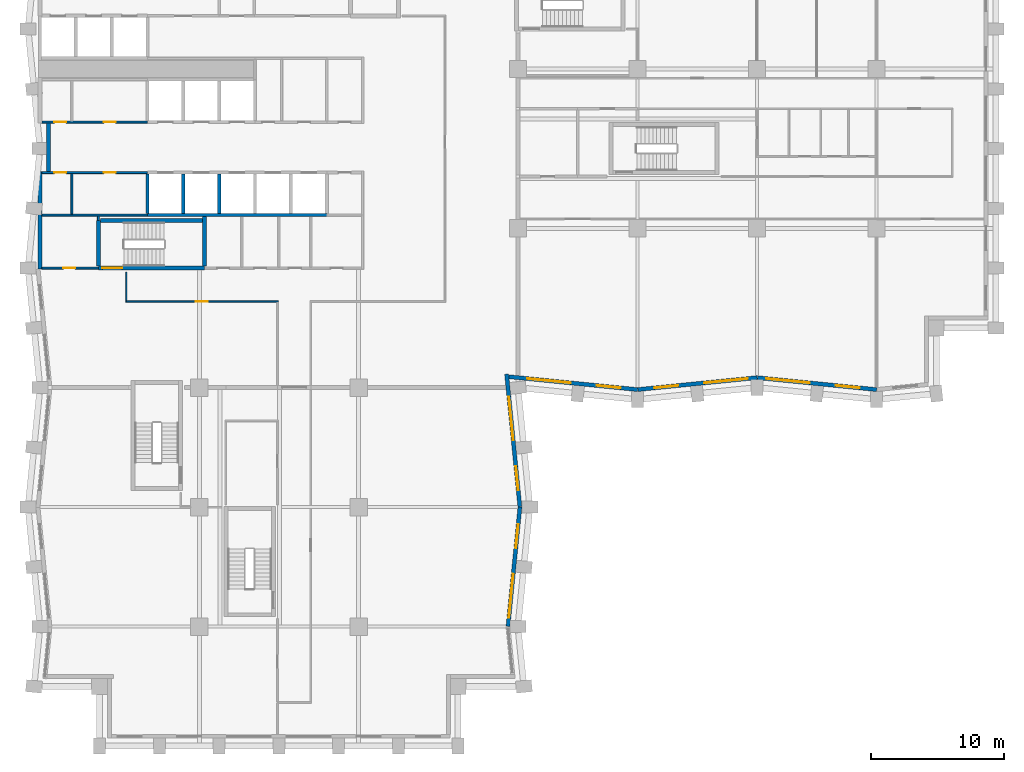
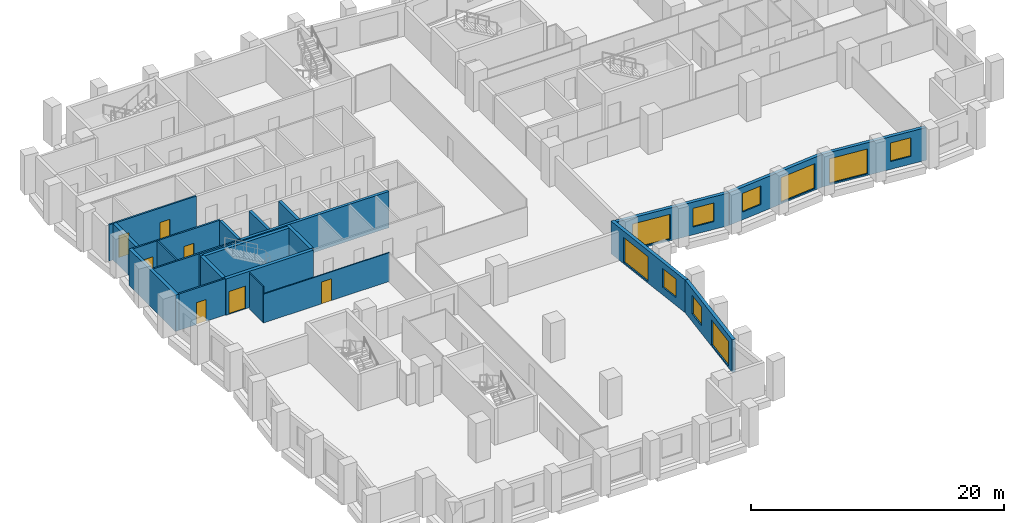
# One storey, part 4 of 11: 23 walls, 10 windows, 7 doors, 17 openings.
"""IFC4 building model written with IfcOpenShell, lengths in metres."""

from ifc_helpers import new_model, si_unit, direction, frame, frame_2d, origin, place, context, subcontext, project, spatial, rectangle, extrude, material, layer, layer_set, type_object, element, fill, save


model = new_model("IFC4")

# Units and contexts
model_context = context("Model", 3, precision=1e-05, world=origin(), true_north=direction((0.0, 1.0)))
body_context = subcontext(model_context, "Body", "Model", "MODEL_VIEW")
ifc_project = project(units=[si_unit("LENGTHUNIT", "METRE"), si_unit("AREAUNIT", "SQUARE_METRE"), si_unit("VOLUMEUNIT", "CUBIC_METRE"), si_unit("PLANEANGLEUNIT", "RADIAN"), si_unit("MASSUNIT", "GRAM", prefix="KILO")], contexts=[model_context])

# Site, building, storey
site_placement = place(None, origin())
site = spatial("IfcSite", under=ifc_project, at=site_placement, CompositionType="ELEMENT")
building_placement = place(site_placement, origin())
building = spatial("IfcBuilding", under=site, at=building_placement, Name="Brondeck Convention Tower", CompositionType="ELEMENT")
storey_placement = place(building_placement, frame((0.0, 0.0, 111.300048828125)))
storey = spatial("IfcBuildingStorey", under=building, at=storey_placement, Name="L26", CompositionType="ELEMENT", Elevation=111.300048828125)

# Walls
ifc_material_1 = material(Name="Concrete C70/85", Category="concrete")
ifc_layer_1 = layer(ifc_material_1, 0.300048828125)
ifc_layer_set_1 = layer_set([ifc_layer_1], Name="Core outer wall 300 Concrete C70/85")
wall_type_1 = type_object("IfcWallType", Name="Core outer wall 300 Concrete C70/85", PredefinedType="SHEAR", material=ifc_layer_set_1)
wall_1_placement = place(storey_placement, frame((0.0, 35.925048828125, 0.0), z_axis=(0.0, 0.0, 1.0), x_axis=(0.0, 1.0, 0.0)))
element("IfcWall", 1, at=wall_1_placement, inside=storey, type_object=wall_type_1, Name="L26 core wall", PredefinedType="SHEAR", context=body_context, shape_type="SweptSolid", body=[
    extrude(rectangle(XDim=7.349853515625, YDim=0.300048828125, at=frame_2d((3.6748046875, 0.0))), origin(), (0.0, 0.0, 1.0), 3.5),
])
wall_2_placement = place(storey_placement, frame((0.64990234375, 43.27490234375, 0.0), z_axis=(0.0, 0.0, 1.0), x_axis=(0.0, 1.0, 0.0)))
element("IfcWall", 2, at=wall_2_placement, inside=storey, type_object=wall_type_1, Name="L26 core wall", PredefinedType="SHEAR", context=body_context, shape_type="SweptSolid", body=[
    extrude(rectangle(XDim=3.650146484375, YDim=0.300048828125, at=frame_2d((1.8251953125, 0.0))), origin(), (0.0, 0.0, 1.0), 3.5),
])

# Wall, opening, door
ifc_material_2 = material(Name="Fire-rated gypsum board partition")
ifc_layer_2 = layer(ifc_material_2, 0.14990234375)
ifc_layer_set_2 = layer_set([ifc_layer_2], Name="Core partition 150 EI 60")
wall_type_2 = type_object("IfcWallType", Name="Core partition 150 EI 60", PredefinedType="PARTITIONING", material=ifc_layer_set_2)
wall_3_placement = place(storey_placement, frame((0.14990234375, 36.0, 0.0), z_axis=(0.0, 0.0, 1.0), x_axis=(1.0, 0.0, 0.0)))
wall_3 = element("IfcWall", 3, at=wall_3_placement, inside=storey, type_object=wall_type_2, Name="L26 core wall", PredefinedType="PARTITIONING", context=body_context, shape_type="SweptSolid", body=[
    extrude(rectangle(XDim=4.25, YDim=0.14990234375, at=frame_2d((2.125, 0.0))), origin(), (0.0, 0.0, 1.0), 3.5),
])
opening_1_placement = place(wall_3_placement, frame((1.60009765625, 0.0, 0.0)))
opening_1 = element("IfcOpeningElement", 4, at=opening_1_placement, cuts=wall_3, Name="Opening C16-07", PredefinedType="OPENING", context=body_context, shape_type="SweptSolid", body=[
    extrude(rectangle(XDim=0.89990234375, YDim=2.10009765625, at=frame_2d((0.449951171875, 1.050048828125))), frame((0.0, 0.0849609375, 0.0), z_axis=(0.0, -1.0, 0.0), x_axis=(1.0, 0.0, 0.0)), (0.0, 0.0, 1.0), 0.169921875),
])
ifc_material_3 = material(Name="Steel fire door", Category="steel")
door_type_1 = type_object("IfcDoorType", Name="Room door 900x2100 EI 60", OperationType="NOTDEFINED", PredefinedType="DOOR", material=ifc_material_3)
door_1_placement = place(opening_1_placement, origin())
door_1 = element("IfcDoor", 5, at=door_1_placement, inside=storey, type_object=door_type_1, Name="L26 Room door FRW-1", OperationType="SINGLE_SWING_LEFT", OverallHeight=2.10009765625, OverallWidth=0.89990234375, PredefinedType="DOOR", context=body_context, shape_type="SweptSolid", body=[
    extrude(rectangle(XDim=0.89990234375, YDim=2.10009765625, at=frame_2d((0.449951171875, 1.050048828125))), frame((0.0, 0.02490234375, 0.0), z_axis=(0.0, -1.0, 0.0), x_axis=(1.0, 0.0, 0.0)), (0.0, 0.0, 1.0), 0.050048828125),
])
fill(opening_1, door_1)

# Wall
wall_4_placement = place(storey_placement, frame((0.14990234375, 40.0, 0.0), z_axis=(0.0, 0.0, 1.0), x_axis=(1.0, 0.0, 0.0)))
element("IfcWall", 6, at=wall_4_placement, inside=storey, type_object=wall_type_2, Name="L26 core wall", PredefinedType="PARTITIONING", context=body_context, shape_type="SweptSolid", body=[
    extrude(rectangle(XDim=7.9501953125, YDim=0.14990234375, at=frame_2d((3.97509765625, 0.0))), origin(), (0.0, 0.0, 1.0), 3.5),
])

# Wall, openings, doors
wall_5_placement = place(storey_placement, frame((0.14990234375, 43.199951171875, 0.0), z_axis=(0.0, 0.0, 1.0), x_axis=(1.0, 0.0, 0.0)))
wall_5 = element("IfcWall", 7, at=wall_5_placement, inside=storey, type_object=wall_type_2, Name="L26 core wall", PredefinedType="PARTITIONING", context=body_context, shape_type="SweptSolid", body=[
    extrude(rectangle(XDim=7.9501953125, YDim=0.14990234375, at=frame_2d((3.97509765625, 0.0))), origin(), (0.0, 0.0, 1.0), 3.5),
])
opening_2_placement = place(wall_5_placement, frame((0.925048828125, 0.0, 0.0)))
opening_2 = element("IfcOpeningElement", 8, at=opening_2_placement, cuts=wall_5, Name="Opening C16-12", PredefinedType="OPENING", context=body_context, shape_type="SweptSolid", body=[
    extrude(rectangle(XDim=0.89990234375, YDim=2.10009765625, at=frame_2d((0.449951171875, 1.050048828125))), frame((0.0, 0.0849609375, 0.0), z_axis=(0.0, -1.0, 0.0), x_axis=(1.0, 0.0, 0.0)), (0.0, 0.0, 1.0), 0.169921875),
])
opening_3_placement = place(wall_5_placement, frame((4.64990234375, 0.0, 0.0)))
opening_3 = element("IfcOpeningElement", 9, at=opening_3_placement, cuts=wall_5, Name="Opening C16-13", PredefinedType="OPENING", context=body_context, shape_type="SweptSolid", body=[
    extrude(rectangle(XDim=0.89990234375, YDim=2.10009765625, at=frame_2d((0.449951171875, 1.050048828125))), frame((0.0, 0.0849609375, 0.0), z_axis=(0.0, -1.0, 0.0), x_axis=(1.0, 0.0, 0.0)), (0.0, 0.0, 1.0), 0.169921875),
])
door_2_placement = place(opening_2_placement, origin())
door_2 = element("IfcDoor", 10, at=door_2_placement, inside=storey, type_object=door_type_1, Name="L26 Room door FZ-S-0-1", OperationType="SINGLE_SWING_LEFT", OverallHeight=2.10009765625, OverallWidth=0.89990234375, PredefinedType="DOOR", context=body_context, shape_type="SweptSolid", body=[
    extrude(rectangle(XDim=0.89990234375, YDim=2.10009765625, at=frame_2d((0.449951171875, 1.050048828125))), frame((0.0, 0.02490234375, 0.0), z_axis=(0.0, -1.0, 0.0), x_axis=(1.0, 0.0, 0.0)), (0.0, 0.0, 1.0), 0.050048828125),
])
fill(opening_2, door_2)
door_3_placement = place(opening_3_placement, origin())
door_3 = element("IfcDoor", 11, at=door_3_placement, inside=storey, type_object=door_type_1, Name="L26 Room door FZ-S-0-2", OperationType="SINGLE_SWING_RIGHT", OverallHeight=2.10009765625, OverallWidth=0.89990234375, PredefinedType="DOOR", context=body_context, shape_type="SweptSolid", body=[
    extrude(rectangle(XDim=0.89990234375, YDim=2.10009765625, at=frame_2d((0.449951171875, 1.050048828125))), frame((0.0, 0.02490234375, 0.0), z_axis=(0.0, -1.0, 0.0), x_axis=(1.0, 0.0, 0.0)), (0.0, 0.0, 1.0), 0.050048828125),
])
fill(opening_3, door_3)

wall_6_placement = place(storey_placement, frame((0.14990234375, 47.0, 0.0), z_axis=(0.0, 0.0, 1.0), x_axis=(1.0, 0.0, 0.0)))
wall_6 = element("IfcWall", 12, at=wall_6_placement, inside=storey, type_object=wall_type_2, Name="L26 core wall", PredefinedType="PARTITIONING", context=body_context, shape_type="SweptSolid", body=[
    extrude(rectangle(XDim=7.9501953125, YDim=0.14990234375, at=frame_2d((3.97509765625, 0.0))), origin(), (0.0, 0.0, 1.0), 3.5),
])
opening_4_placement = place(wall_6_placement, frame((0.925048828125, 0.0, 0.0)))
opening_4 = element("IfcOpeningElement", 13, at=opening_4_placement, cuts=wall_6, Name="Opening C16-08", PredefinedType="OPENING", context=body_context, shape_type="SweptSolid", body=[
    extrude(rectangle(XDim=0.89990234375, YDim=2.10009765625, at=frame_2d((0.449951171875, 1.050048828125))), frame((0.0, 0.0849609375, 0.0), z_axis=(0.0, -1.0, 0.0), x_axis=(1.0, 0.0, 0.0)), (0.0, 0.0, 1.0), 0.169921875),
])
opening_5_placement = place(wall_6_placement, frame((4.64990234375, 0.0, 0.0)))
opening_5 = element("IfcOpeningElement", 14, at=opening_5_placement, cuts=wall_6, Name="Opening C16-09", PredefinedType="OPENING", context=body_context, shape_type="SweptSolid", body=[
    extrude(rectangle(XDim=0.89990234375, YDim=2.10009765625, at=frame_2d((0.449951171875, 1.050048828125))), frame((0.0, 0.0849609375, 0.0), z_axis=(0.0, -1.0, 0.0), x_axis=(1.0, 0.0, 0.0)), (0.0, 0.0, 1.0), 0.169921875),
])
door_4_placement = place(opening_4_placement, origin())
door_4 = element("IfcDoor", 15, at=door_4_placement, inside=storey, type_object=door_type_1, Name="L26 Room door FZ-N-0-1", OperationType="SINGLE_SWING_RIGHT", OverallHeight=2.10009765625, OverallWidth=0.89990234375, PredefinedType="DOOR", context=body_context, shape_type="SweptSolid", body=[
    extrude(rectangle(XDim=0.89990234375, YDim=2.10009765625, at=frame_2d((0.449951171875, 1.050048828125))), frame((0.0, 0.02490234375, 0.0), z_axis=(0.0, -1.0, 0.0), x_axis=(1.0, 0.0, 0.0)), (0.0, 0.0, 1.0), 0.050048828125),
])
fill(opening_4, door_4)
door_5_placement = place(opening_5_placement, origin())
door_5 = element("IfcDoor", 16, at=door_5_placement, inside=storey, type_object=door_type_1, Name="L26 Room door FZ-N-0-2", OperationType="SINGLE_SWING_LEFT", OverallHeight=2.10009765625, OverallWidth=0.89990234375, PredefinedType="DOOR", context=body_context, shape_type="SweptSolid", body=[
    extrude(rectangle(XDim=0.89990234375, YDim=2.10009765625, at=frame_2d((0.449951171875, 1.050048828125))), frame((0.0, 0.02490234375, 0.0), z_axis=(0.0, -1.0, 0.0), x_axis=(1.0, 0.0, 0.0)), (0.0, 0.0, 1.0), 0.050048828125),
])
fill(opening_5, door_5)

# Walls
wall_7_placement = place(storey_placement, frame((2.39990234375, 40.074951171875, 0.0), z_axis=(0.0, 0.0, 1.0), x_axis=(0.0, 1.0, 0.0)))
element("IfcWall", 17, at=wall_7_placement, inside=storey, type_object=wall_type_2, Name="L26 core wall", PredefinedType="PARTITIONING", context=body_context, shape_type="SweptSolid", body=[
    extrude(rectangle(XDim=3.050048828125, YDim=0.14990234375, at=frame_2d((1.52490234375, 0.0))), origin(), (0.0, 0.0, 1.0), 3.5),
])
wall_8_placement = place(storey_placement, frame((4.39990234375, 39.60009765625, 0.0), z_axis=(0.0, 0.0, 1.0), x_axis=(0.0, 1.0, 0.0)))
element("IfcWall", 18, at=wall_8_placement, inside=storey, type_object=wall_type_2, Name="L26 core wall", PredefinedType="PARTITIONING", context=body_context, shape_type="SweptSolid", body=[
    extrude(rectangle(XDim=0.324951171875, YDim=0.14990234375, at=frame_2d((0.16259765625, 0.0))), origin(), (0.0, 0.0, 1.0), 3.5),
])

# Wall, openings, windows
ifc_material_4 = material(Name="Precast concrete C50/60 bronze finish", Category="concrete")
ifc_layer_3 = layer(ifc_material_4, 0.070068359375, Name="Bronze precast facing")
ifc_material_5 = material(Name="Mineral wool")
ifc_layer_4 = layer(ifc_material_5, 0.159912109375, Name="Insulation")
ifc_material_6 = material(Name="Concrete C35/45", Category="concrete")
ifc_layer_5 = layer(ifc_material_6, 0.070068359375, Name="Backing")
ifc_layer_set_3 = layer_set([ifc_layer_3, ifc_layer_4, ifc_layer_5], Name="External infill wall, precast concrete C50/60 bronze facing")
wall_type_3 = type_object("IfcWallType", Name="External infill wall, precast concrete C50/60 bronze facing", PredefinedType="SOLIDWALL", material=ifc_layer_set_3)
wall_9_placement = place(storey_placement, frame((36.147705078125, 18.014892578125, 0.0), z_axis=(0.0, 0.0, 1.0), x_axis=(-0.099495688264, -0.995037993253, 0.0)))
wall_9 = element("IfcWall", 19, at=wall_9_placement, inside=storey, type_object=wall_type_3, Name="ENV-EW-L26-P0-B-E-03", PredefinedType="SOLIDWALL", context=body_context, shape_type="SweptSolid", body=[
    extrude(rectangle(XDim=9.030029296875, YDim=0.300048828125, at=frame_2d((4.51513671875, 0.0))), origin(), (0.0, 0.0, 1.0), 3.14990234375),
])
opening_6_placement = place(wall_9_placement, frame((1.30126953125, 0.0, 0.75)))
opening_6 = element("IfcOpeningElement", 20, at=opening_6_placement, cuts=wall_9, Name="Opening W10", PredefinedType="OPENING", context=body_context, shape_type="SweptSolid", body=[
    extrude(rectangle(XDim=1.800048828125, YDim=1.800048828125, at=frame_2d((0.89990234375, 0.89990234375))), frame((0.0, 0.159912109375, 0.0), z_axis=(0.0, -1.0, 0.0), x_axis=(1.0, 0.0, 0.0)), (0.0, 0.0, 1.0), 0.320068359375),
])
opening_7_placement = place(wall_9_placement, frame((5.073486328125, 0.0, 0.14990234375)))
opening_7 = element("IfcOpeningElement", 21, at=opening_7_placement, cuts=wall_9, Name="Opening W9", PredefinedType="OPENING", context=body_context, shape_type="SweptSolid", body=[
    extrude(rectangle(XDim=3.300048828125, YDim=2.39990234375, at=frame_2d((1.64990234375, 1.199951171875))), frame((0.0, 0.159912109375, 0.0), z_axis=(0.0, -1.0, 0.0), x_axis=(1.0, 0.0, 0.0)), (0.0, 0.0, 1.0), 0.320068359375),
])
ifc_material_7 = material(Name="Bronze tinted double glazing", Category="glass")
window_type_1 = type_object("IfcWindowType", Name="Glazed flute window, bronze tinted", PartitioningType="SINGLE_PANEL", PredefinedType="WINDOW", material=ifc_material_7)
window_1_placement = place(opening_7_placement, origin())
window_1 = element("IfcWindow", 22, at=window_1_placement, inside=storey, type_object=window_type_1, Name="ENV-WN-L26-P0-B-E-03", OverallHeight=2.39990234375, OverallWidth=3.300048828125, PartitioningType="SINGLE_PANEL", PredefinedType="WINDOW", context=body_context, shape_type="SweptSolid", body=[
    extrude(rectangle(XDim=3.300048828125, YDim=2.39990234375, at=frame_2d((1.64990234375, 1.199951171875))), frame((0.0, 0.030029296875, 0.0), z_axis=(0.0, -1.0, 0.0), x_axis=(1.0, 0.0, 0.0)), (0.0, 0.0, 1.0), 0.06005859375),
])
fill(opening_7, window_1)
window_type_2 = type_object("IfcWindowType", Name="Punched window, bronze tinted", PartitioningType="SINGLE_PANEL", PredefinedType="WINDOW", material=ifc_material_7)
window_2_placement = place(opening_6_placement, origin())
window_2 = element("IfcWindow", 23, at=window_2_placement, inside=storey, type_object=window_type_2, Name="ENV-WN-L26-P0-B-E-02", OverallHeight=1.800048828125, OverallWidth=1.800048828125, PartitioningType="SINGLE_PANEL", PredefinedType="WINDOW", context=body_context, shape_type="SweptSolid", body=[
    extrude(rectangle(XDim=1.800048828125, YDim=1.800048828125, at=frame_2d((0.89990234375, 0.89990234375))), frame((0.0, 0.030029296875, 0.0), z_axis=(0.0, -1.0, 0.0), x_axis=(1.0, 0.0, 0.0)), (0.0, 0.0, 1.0), 0.06005859375),
])
fill(opening_6, window_2)

wall_10_placement = place(storey_placement, frame((35.144287109375, 28.02001953125, 0.0), z_axis=(0.0, 0.0, 1.0), x_axis=(0.099503719021, -0.99503719021, 0.0)))
wall_10 = element("IfcWall", 24, at=wall_10_placement, inside=storey, type_object=wall_type_3, Name="ENV-EW-L26-P0-B-E-01", PredefinedType="SOLIDWALL", context=body_context, shape_type="SweptSolid", body=[
    extrude(rectangle(XDim=10.0400390625, YDim=0.300048828125, at=frame_2d((5.02001953125, 0.0))), origin(), (0.0, 0.0, 1.0), 3.14990234375),
])
opening_8_placement = place(wall_10_placement, frame((1.711181640625, 0.0, 0.14990234375)))
opening_8 = element("IfcOpeningElement", 25, at=opening_8_placement, cuts=wall_10, Name="Opening W9", PredefinedType="OPENING", context=body_context, shape_type="SweptSolid", body=[
    extrude(rectangle(XDim=3.300048828125, YDim=2.39990234375, at=frame_2d((1.64990234375, 1.199951171875))), frame((0.0, 0.159912109375, 0.0), z_axis=(0.0, -1.0, 0.0), x_axis=(1.0, 0.0, 0.0)), (0.0, 0.0, 1.0), 0.320068359375),
])
opening_9_placement = place(wall_10_placement, frame((6.983642578125, 0.0, 0.75)))
opening_9 = element("IfcOpeningElement", 26, at=opening_9_placement, cuts=wall_10, Name="Opening W10", PredefinedType="OPENING", context=body_context, shape_type="SweptSolid", body=[
    extrude(rectangle(XDim=1.800048828125, YDim=1.800048828125, at=frame_2d((0.89990234375, 0.89990234375))), frame((0.0, 0.159912109375, 0.0), z_axis=(0.0, -1.0, 0.0), x_axis=(1.0, 0.0, 0.0)), (0.0, 0.0, 1.0), 0.320068359375),
])
window_3_placement = place(opening_8_placement, origin())
window_3 = element("IfcWindow", 27, at=window_3_placement, inside=storey, type_object=window_type_1, Name="ENV-WN-L26-P0-B-E-00", OverallHeight=2.39990234375, OverallWidth=3.300048828125, PartitioningType="SINGLE_PANEL", PredefinedType="WINDOW", context=body_context, shape_type="SweptSolid", body=[
    extrude(rectangle(XDim=3.300048828125, YDim=2.39990234375, at=frame_2d((1.64990234375, 1.199951171875))), frame((0.0, 0.030029296875, 0.0), z_axis=(0.0, -1.0, 0.0), x_axis=(1.0, 0.0, 0.0)), (0.0, 0.0, 1.0), 0.06005859375),
])
fill(opening_8, window_3)
window_4_placement = place(opening_9_placement, origin())
window_4 = element("IfcWindow", 28, at=window_4_placement, inside=storey, type_object=window_type_2, Name="ENV-WN-L26-P0-B-E-01", OverallHeight=1.800048828125, OverallWidth=1.800048828125, PartitioningType="SINGLE_PANEL", PredefinedType="WINDOW", context=body_context, shape_type="SweptSolid", body=[
    extrude(rectangle(XDim=1.800048828125, YDim=1.800048828125, at=frame_2d((0.89990234375, 0.89990234375))), frame((0.0, 0.030029296875, 0.0), z_axis=(0.0, -1.0, 0.0), x_axis=(1.0, 0.0, 0.0)), (0.0, 0.0, 1.0), 0.06005859375),
])
fill(opening_9, window_4)

wall_11_placement = place(storey_placement, frame((45.014892578125, 26.852294921875, 0.0), z_axis=(0.0, 0.0, 1.0), x_axis=(-0.995037438546, 0.099501235631, 0.0)))
wall_11 = element("IfcWall", 29, at=wall_11_placement, inside=storey, type_object=wall_type_3, Name="ENV-EW-L26-P0-A-S-00", PredefinedType="SOLIDWALL", context=body_context, shape_type="SweptSolid", body=[
    extrude(rectangle(XDim=9.733642578125, YDim=0.300048828125, at=frame_2d((4.86669921875, 0.0))), origin(), (0.0, 0.0, 1.0), 3.14990234375),
])
opening_10_placement = place(wall_11_placement, frame((1.30126953125, 0.0, 0.75)))
opening_10 = element("IfcOpeningElement", 30, at=opening_10_placement, cuts=wall_11, Name="Opening W10", PredefinedType="OPENING", context=body_context, shape_type="SweptSolid", body=[
    extrude(rectangle(XDim=1.800048828125, YDim=1.800048828125, at=frame_2d((0.89990234375, 0.89990234375))), frame((0.0, 0.159912109375, 0.0), z_axis=(0.0, -1.0, 0.0), x_axis=(1.0, 0.0, 0.0)), (0.0, 0.0, 1.0), 0.320068359375),
])
opening_11_placement = place(wall_11_placement, frame((5.073486328125, 0.0, 0.14990234375)))
opening_11 = element("IfcOpeningElement", 31, at=opening_11_placement, cuts=wall_11, Name="Opening W9", PredefinedType="OPENING", context=body_context, shape_type="SweptSolid", body=[
    extrude(rectangle(XDim=3.300048828125, YDim=2.39990234375, at=frame_2d((1.64990234375, 1.199951171875))), frame((0.0, 0.159912109375, 0.0), z_axis=(0.0, -1.0, 0.0), x_axis=(1.0, 0.0, 0.0)), (0.0, 0.0, 1.0), 0.320068359375),
])
window_5_placement = place(opening_11_placement, origin())
window_5 = element("IfcWindow", 32, at=window_5_placement, inside=storey, type_object=window_type_1, Name="ENV-WN-L26-P0-A-S-00", OverallHeight=2.39990234375, OverallWidth=3.300048828125, PartitioningType="SINGLE_PANEL", PredefinedType="WINDOW", context=body_context, shape_type="SweptSolid", body=[
    extrude(rectangle(XDim=3.300048828125, YDim=2.39990234375, at=frame_2d((1.64990234375, 1.199951171875))), frame((0.0, 0.030029296875, 0.0), z_axis=(0.0, -1.0, 0.0), x_axis=(1.0, 0.0, 0.0)), (0.0, 0.0, 1.0), 0.06005859375),
])
fill(opening_11, window_5)
window_6_placement = place(opening_10_placement, origin())
window_6 = element("IfcWindow", 33, at=window_6_placement, inside=storey, type_object=window_type_2, Name="ENV-WN-L26-P0-A-S-01", OverallHeight=1.800048828125, OverallWidth=1.800048828125, PartitioningType="SINGLE_PANEL", PredefinedType="WINDOW", context=body_context, shape_type="SweptSolid", body=[
    extrude(rectangle(XDim=1.800048828125, YDim=1.800048828125, at=frame_2d((0.89990234375, 0.89990234375))), frame((0.0, 0.030029296875, 0.0), z_axis=(0.0, -1.0, 0.0), x_axis=(1.0, 0.0, 0.0)), (0.0, 0.0, 1.0), 0.06005859375),
])
fill(opening_10, window_6)

wall_12_placement = place(storey_placement, frame((54.014892578125, 27.755126953125, 0.0), z_axis=(0.0, 0.0, 1.0), x_axis=(-0.995037993253, -0.099495688264, 0.0)))
wall_12 = element("IfcWall", 34, at=wall_12_placement, inside=storey, type_object=wall_type_3, Name="ENV-EW-L26-P0-A-S-02", PredefinedType="SOLIDWALL", context=body_context, shape_type="SweptSolid", body=[
    extrude(rectangle(XDim=9.030029296875, YDim=0.300048828125, at=frame_2d((4.51513671875, 0.0))), origin(), (0.0, 0.0, 1.0), 3.14990234375),
])
opening_12_placement = place(wall_12_placement, frame((0.701171875, 0.0, 0.14990234375)))
opening_12 = element("IfcOpeningElement", 35, at=opening_12_placement, cuts=wall_12, Name="Opening W9", PredefinedType="OPENING", context=body_context, shape_type="SweptSolid", body=[
    extrude(rectangle(XDim=3.300048828125, YDim=2.39990234375, at=frame_2d((1.64990234375, 1.199951171875))), frame((0.0, 0.159912109375, 0.0), z_axis=(0.0, -1.0, 0.0), x_axis=(1.0, 0.0, 0.0)), (0.0, 0.0, 1.0), 0.320068359375),
])
opening_13_placement = place(wall_12_placement, frame((5.9736328125, 0.0, 0.75)))
opening_13 = element("IfcOpeningElement", 36, at=opening_13_placement, cuts=wall_12, Name="Opening W10", PredefinedType="OPENING", context=body_context, shape_type="SweptSolid", body=[
    extrude(rectangle(XDim=1.800048828125, YDim=1.800048828125, at=frame_2d((0.89990234375, 0.89990234375))), frame((0.0, 0.159912109375, 0.0), z_axis=(0.0, -1.0, 0.0), x_axis=(1.0, 0.0, 0.0)), (0.0, 0.0, 1.0), 0.320068359375),
])
window_7_placement = place(opening_12_placement, origin())
window_7 = element("IfcWindow", 37, at=window_7_placement, inside=storey, type_object=window_type_1, Name="ENV-WN-L26-P0-A-S-03", OverallHeight=2.39990234375, OverallWidth=3.300048828125, PartitioningType="SINGLE_PANEL", PredefinedType="WINDOW", context=body_context, shape_type="SweptSolid", body=[
    extrude(rectangle(XDim=3.300048828125, YDim=2.39990234375, at=frame_2d((1.64990234375, 1.199951171875))), frame((0.0, 0.030029296875, 0.0), z_axis=(0.0, -1.0, 0.0), x_axis=(1.0, 0.0, 0.0)), (0.0, 0.0, 1.0), 0.06005859375),
])
fill(opening_12, window_7)
window_8_placement = place(opening_13_placement, origin())
window_8 = element("IfcWindow", 38, at=window_8_placement, inside=storey, type_object=window_type_2, Name="ENV-WN-L26-P0-A-S-02", OverallHeight=1.800048828125, OverallWidth=1.800048828125, PartitioningType="SINGLE_PANEL", PredefinedType="WINDOW", context=body_context, shape_type="SweptSolid", body=[
    extrude(rectangle(XDim=1.800048828125, YDim=1.800048828125, at=frame_2d((0.89990234375, 0.89990234375))), frame((0.0, 0.030029296875, 0.0), z_axis=(0.0, -1.0, 0.0), x_axis=(1.0, 0.0, 0.0)), (0.0, 0.0, 1.0), 0.06005859375),
])
fill(opening_13, window_8)

wall_13_placement = place(storey_placement, frame((63.014892578125, 26.852294921875, 0.0), z_axis=(0.0, 0.0, 1.0), x_axis=(-0.995037993253, 0.099495688264, 0.0)))
wall_13 = element("IfcWall", 39, at=wall_13_placement, inside=storey, type_object=wall_type_3, Name="ENV-EW-L26-P0-A-S-04", PredefinedType="SOLIDWALL", context=body_context, shape_type="SweptSolid", body=[
    extrude(rectangle(XDim=9.030029296875, YDim=0.300048828125, at=frame_2d((4.51513671875, 0.0))), origin(), (0.0, 0.0, 1.0), 3.14990234375),
])
opening_14_placement = place(wall_13_placement, frame((1.30126953125, 0.0, 0.75)))
opening_14 = element("IfcOpeningElement", 40, at=opening_14_placement, cuts=wall_13, Name="Opening W10", PredefinedType="OPENING", context=body_context, shape_type="SweptSolid", body=[
    extrude(rectangle(XDim=1.800048828125, YDim=1.800048828125, at=frame_2d((0.89990234375, 0.89990234375))), frame((0.0, 0.159912109375, 0.0), z_axis=(0.0, -1.0, 0.0), x_axis=(1.0, 0.0, 0.0)), (0.0, 0.0, 1.0), 0.320068359375),
])
opening_15_placement = place(wall_13_placement, frame((5.073486328125, 0.0, 0.14990234375)))
opening_15 = element("IfcOpeningElement", 41, at=opening_15_placement, cuts=wall_13, Name="Opening W9", PredefinedType="OPENING", context=body_context, shape_type="SweptSolid", body=[
    extrude(rectangle(XDim=3.300048828125, YDim=2.39990234375, at=frame_2d((1.64990234375, 1.199951171875))), frame((0.0, 0.159912109375, 0.0), z_axis=(0.0, -1.0, 0.0), x_axis=(1.0, 0.0, 0.0)), (0.0, 0.0, 1.0), 0.320068359375),
])
window_9_placement = place(opening_15_placement, origin())
window_9 = element("IfcWindow", 42, at=window_9_placement, inside=storey, type_object=window_type_1, Name="ENV-WN-L26-P0-A-S-04", OverallHeight=2.39990234375, OverallWidth=3.300048828125, PartitioningType="SINGLE_PANEL", PredefinedType="WINDOW", context=body_context, shape_type="SweptSolid", body=[
    extrude(rectangle(XDim=3.300048828125, YDim=2.39990234375, at=frame_2d((1.64990234375, 1.199951171875))), frame((0.0, 0.030029296875, 0.0), z_axis=(0.0, -1.0, 0.0), x_axis=(1.0, 0.0, 0.0)), (0.0, 0.0, 1.0), 0.06005859375),
])
fill(opening_15, window_9)
window_10_placement = place(opening_14_placement, origin())
window_10 = element("IfcWindow", 43, at=window_10_placement, inside=storey, type_object=window_type_2, Name="ENV-WN-L26-P0-A-S-05", OverallHeight=1.800048828125, OverallWidth=1.800048828125, PartitioningType="SINGLE_PANEL", PredefinedType="WINDOW", context=body_context, shape_type="SweptSolid", body=[
    extrude(rectangle(XDim=1.800048828125, YDim=1.800048828125, at=frame_2d((0.89990234375, 0.89990234375))), frame((0.0, 0.030029296875, 0.0), z_axis=(0.0, -1.0, 0.0), x_axis=(1.0, 0.0, 0.0)), (0.0, 0.0, 1.0), 0.06005859375),
])
fill(opening_14, window_10)

# Walls
ifc_layer_6 = layer(ifc_material_1, 0.25)
ifc_layer_set_4 = layer_set([ifc_layer_6], Name="Lift shaft wall 250 Concrete C70/85")
wall_type_4 = type_object("IfcWallType", Name="Lift shaft wall 250 Concrete C70/85", PredefinedType="SHEAR", material=ifc_layer_set_4)
wall_14_placement = place(storey_placement, frame((8.10009765625, 40.0, 0.0), z_axis=(0.0, 0.0, 1.0), x_axis=(1.0, 0.0, 0.0)))
element("IfcWall", 44, at=wall_14_placement, inside=storey, type_object=wall_type_4, Name="L26 core wall", PredefinedType="SHEAR", context=body_context, shape_type="SweptSolid", body=[
    extrude(rectangle(XDim=13.5, YDim=0.25, at=frame_2d((6.75, 0.0))), origin(), (0.0, 0.0, 1.0), 3.5),
])
for number, where, z_axis, x_axis, name in (
    (45, (8.10009765625, 40.125, 0.0), (0.0, 0.0, 1.0), (0.0, 1.0, 0.0), "L26 core wall"),
    (46, (10.800048828125, 40.125, 0.0), (0.0, 0.0, 1.0), (0.0, 1.0, 0.0), "L26 core wall"),
    (47, (13.5, 40.125, 0.0), (0.0, 0.0, 1.0), (0.0, 1.0, 0.0), "L26 core wall"),
):
    element("IfcWall", number, at=place(storey_placement, frame(where, z_axis=z_axis, x_axis=x_axis)), inside=storey, type_object=wall_type_4, Name=name, PredefinedType="SHEAR", context=body_context, shape_type="SweptSolid", body=[
        extrude(rectangle(XDim=2.949951171875, YDim=0.25, at=frame_2d((1.47509765625, 0.0))), origin(), (0.0, 0.0, 1.0), 3.5),
    ])

# Wall, opening, door
ifc_material_8 = material(Name="Gypsum board partition on steel studs", Category="steel")
ifc_layer_7 = layer(ifc_material_8, 0.10009765625)
ifc_layer_set_5 = layer_set([ifc_layer_7], Name="Room partition 100")
wall_type_5 = type_object("IfcWallType", Name="Room partition 100", PredefinedType="PARTITIONING", material=ifc_layer_set_5)
wall_15_placement = place(storey_placement, frame((17.949951171875, 33.5, 0.0), z_axis=(0.0, 0.0, 1.0), x_axis=(-1.0, 0.0, 0.0)))
wall_15 = element("IfcWall", 48, at=wall_15_placement, inside=storey, type_object=wall_type_5, Name="FLR-L26-W021", PredefinedType="PARTITIONING", context=body_context, shape_type="SweptSolid", body=[
    extrude(rectangle(XDim=11.5, YDim=0.10009765625, at=frame_2d((5.75, 0.0))), origin(), (0.0, 0.0, 1.0), 2.780029296875),
])
opening_16_placement = place(wall_15_placement, frame((5.300048828125, 0.0, 0.0)))
opening_16 = element("IfcOpeningElement", 49, at=opening_16_placement, cuts=wall_15, Name="Opening OF-C-018", PredefinedType="OPENING", context=body_context, shape_type="SweptSolid", body=[
    extrude(rectangle(XDim=0.89990234375, YDim=2.10009765625, at=frame_2d((0.449951171875, 1.050048828125))), frame((0.0, 0.06005859375, 0.0), z_axis=(0.0, -1.0, 0.0), x_axis=(1.0, 0.0, 0.0)), (0.0, 0.0, 1.0), 0.1201171875),
])
ifc_material_9 = material(Name="Solid timber door leaf", Category="wood")
door_type_2 = type_object("IfcDoorType", Name="Single door 900", OperationType="NOTDEFINED", PredefinedType="DOOR", material=ifc_material_9)
door_6_placement = place(opening_16_placement, origin())
door_6 = element("IfcDoor", 50, at=door_6_placement, inside=storey, type_object=door_type_2, Name="Door OF-C-018", OperationType="SINGLE_SWING_LEFT", OverallHeight=2.10009765625, OverallWidth=0.89990234375, PredefinedType="DOOR", context=body_context, shape_type="SweptSolid", body=[
    extrude(rectangle(XDim=0.89990234375, YDim=2.10009765625, at=frame_2d((0.449951171875, 1.050048828125))), frame((0.0, 0.02490234375, 0.0), z_axis=(0.0, -1.0, 0.0), x_axis=(1.0, 0.0, 0.0)), (0.0, 0.0, 1.0), 0.050048828125),
])
fill(opening_16, door_6)

# Wall
wall_16_placement = place(storey_placement, frame((6.5, 33.550048828125, 0.0), z_axis=(0.0, 0.0, 1.0), x_axis=(0.0, 1.0, 0.0)))
element("IfcWall", 51, at=wall_16_placement, inside=storey, type_object=wall_type_5, Name="FLR-L26-W023", PredefinedType="PARTITIONING", context=body_context, shape_type="SweptSolid", body=[
    extrude(rectangle(XDim=2.14990234375, YDim=0.10009765625, at=frame_2d((1.074951171875, 0.0))), origin(), (0.0, 0.0, 1.0), 3.47998046875),
])

# Wall, opening, door
ifc_layer_8 = layer(ifc_material_1, 0.300048828125)
ifc_layer_set_6 = layer_set([ifc_layer_8], Name="Stair enclosure wall 300 Concrete C70/85")
wall_type_6 = type_object("IfcWallType", Name="Stair enclosure wall 300 Concrete C70/85", PredefinedType="SHEAR", material=ifc_layer_set_6)
wall_17_placement = place(storey_placement, frame((4.39990234375, 36.0, 0.0), z_axis=(0.0, 0.0, 1.0), x_axis=(1.0, 0.0, 0.0)))
wall_17 = element("IfcWall", 52, at=wall_17_placement, inside=storey, type_object=wall_type_6, Name="L26 core wall", PredefinedType="SHEAR", context=body_context, shape_type="SweptSolid", body=[
    extrude(rectangle(XDim=8.0, YDim=0.300048828125, at=frame_2d((4.0, 0.0))), origin(), (0.0, 0.0, 1.0), 3.5),
])
opening_17_placement = place(wall_17_placement, frame((0.300048828125, 0.0, 0.0)))
opening_17 = element("IfcOpeningElement", 53, at=opening_17_placement, cuts=wall_17, Name="Opening C16-17", PredefinedType="OPENING", context=body_context, shape_type="SweptSolid", body=[
    extrude(rectangle(XDim=1.5, YDim=2.199951171875, at=frame_2d((0.75, 1.10009765625))), frame((0.0, 0.159912109375, 0.0), z_axis=(0.0, -1.0, 0.0), x_axis=(1.0, 0.0, 0.0)), (0.0, 0.0, 1.0), 0.320068359375),
])
door_type_3 = type_object("IfcDoorType", Name="Stair door 1500x2200 EI 90", OperationType="NOTDEFINED", PredefinedType="DOOR", material=ifc_material_3)
door_7_placement = place(opening_17_placement, origin())
door_7 = element("IfcDoor", 54, at=door_7_placement, inside=storey, type_object=door_type_3, Name="L26 Stair door ST-1", OperationType="SINGLE_SWING_RIGHT", OverallHeight=2.199951171875, OverallWidth=1.5, PredefinedType="DOOR", context=body_context, shape_type="SweptSolid", body=[
    extrude(rectangle(XDim=1.5, YDim=2.199951171875, at=frame_2d((0.75, 1.10009765625))), frame((0.0, 0.02490234375, 0.0), z_axis=(0.0, -1.0, 0.0), x_axis=(1.0, 0.0, 0.0)), (0.0, 0.0, 1.0), 0.050048828125),
])
fill(opening_17, door_7)

# Walls
wall_18_placement = place(storey_placement, frame((4.550048828125, 39.60009765625, 0.0), z_axis=(0.0, 0.0, 1.0), x_axis=(1.0, 0.0, 0.0)))
element("IfcWall", 55, at=wall_18_placement, inside=storey, type_object=wall_type_6, Name="L26 core wall", PredefinedType="SHEAR", context=body_context, shape_type="SweptSolid", body=[
    extrude(rectangle(XDim=7.699951171875, YDim=0.300048828125, at=frame_2d((3.85009765625, 0.0))), origin(), (0.0, 0.0, 1.0), 3.5),
])
wall_19_placement = place(storey_placement, frame((4.39990234375, 36.14990234375, 0.0), z_axis=(0.0, 0.0, 1.0), x_axis=(0.0, 1.0, 0.0)))
element("IfcWall", 56, at=wall_19_placement, inside=storey, type_object=wall_type_6, Name="L26 core wall", PredefinedType="SHEAR", context=body_context, shape_type="SweptSolid", body=[
    extrude(rectangle(XDim=3.4501953125, YDim=0.300048828125, at=frame_2d((1.72509765625, 0.0))), origin(), (0.0, 0.0, 1.0), 3.5),
])
wall_20_placement = place(storey_placement, frame((12.39990234375, 36.14990234375, 0.0), z_axis=(0.0, 0.0, 1.0), x_axis=(0.0, 1.0, 0.0)))
element("IfcWall", 57, at=wall_20_placement, inside=storey, type_object=wall_type_6, Name="L26 core wall", PredefinedType="SHEAR", context=body_context, shape_type="SweptSolid", body=[
    extrude(rectangle(XDim=3.72509765625, YDim=0.300048828125, at=frame_2d((1.862548828125, 0.0))), origin(), (0.0, 0.0, 1.0), 3.5),
])

save(model, "model.ifc")
